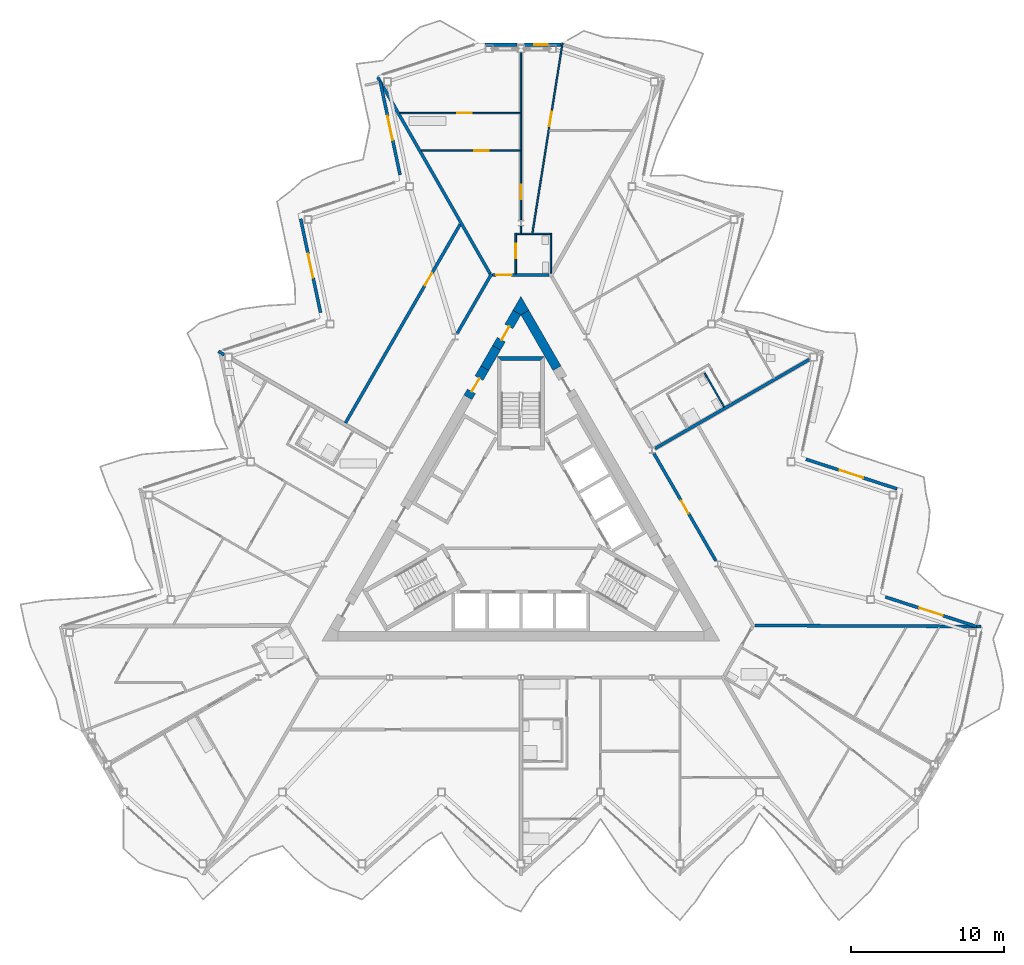
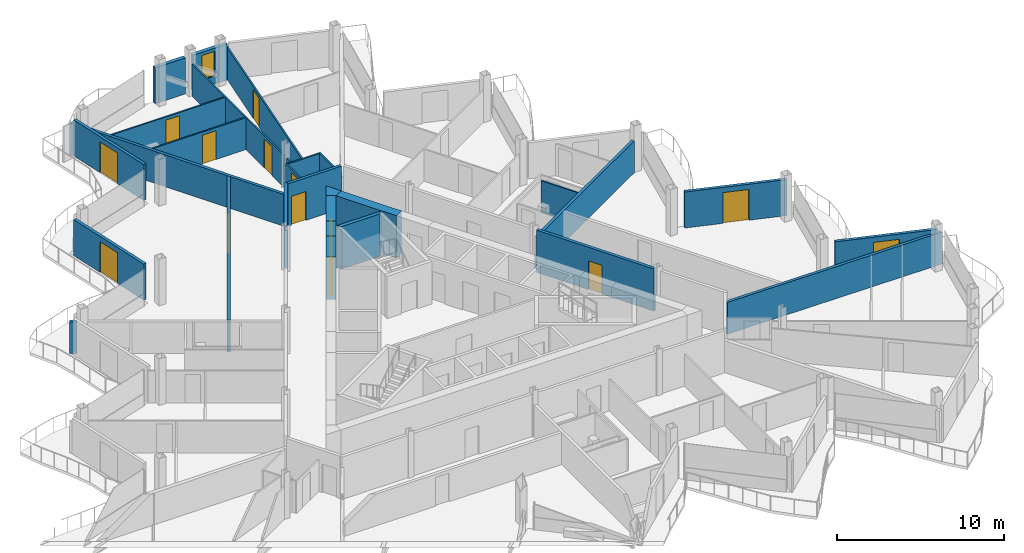
# One storey, part 16 of 26: 29 walls, 14 doors, 1 window, 15 openings.
"""IFC4 building model written with IfcOpenShell, lengths in metres."""

from ifc_helpers import new_model, si_unit, direction, frame, frame_2d, origin, place, context, subcontext, project, spatial, polyline, rectangle, outline, extrude, material, layer, layer_set, type_object, element, fill, save


model = new_model("IFC4")

# Units and contexts
model_context = context("Model", 3, precision=1e-05, world=origin(), true_north=direction((0.0, 1.0)))
body_context = subcontext(model_context, "Body", "Model", "MODEL_VIEW")
ifc_project = project(units=[si_unit("LENGTHUNIT", "METRE"), si_unit("AREAUNIT", "SQUARE_METRE"), si_unit("VOLUMEUNIT", "CUBIC_METRE"), si_unit("PLANEANGLEUNIT", "RADIAN"), si_unit("MASSUNIT", "GRAM", prefix="KILO")], contexts=[model_context])

# Site, building, storey
site_placement = place(None, origin())
site = spatial("IfcSite", under=ifc_project, at=site_placement, CompositionType="ELEMENT")
building_placement = place(site_placement, origin())
building = spatial("IfcBuilding", under=site, at=building_placement, Name="Cormorant Prow Tower", CompositionType="ELEMENT")
storey_placement = place(building_placement, frame((0.0, 0.0, 367.800048828125)))
storey = spatial("IfcBuildingStorey", under=building, at=storey_placement, Name="L82", CompositionType="ELEMENT", Elevation=367.800048828125)

# Walls
ifc_material_1 = material(Name="Concrete 8000 psi", Category="concrete")
ifc_layer_1 = layer(ifc_material_1, 0.60009765625)
ifc_layer_set_1 = layer_set([ifc_layer_1], Name="Concrete 8000 psi")
wall_type_1 = type_object("IfcWallType", Name="Core shear wall 600", PredefinedType="SHEAR", material=ifc_layer_set_1)
wall_1_placement = place(storey_placement, frame((2.36083984375, 10.322021484375, 0.0), z_axis=(0.0, 0.0, 1.0), x_axis=(-0.500000735859, 0.866024978935, 0.0)))
element("IfcWall", 1, at=wall_1_placement, inside=storey, type_object=wall_type_1, Name="Core wall", PredefinedType="SHEAR", context=body_context, shape_type="SweptSolid", body=[
    extrude(rectangle(XDim=4.2021484375, YDim=0.60009765625, at=frame_2d((2.10107421875, 0.0))), origin(), (0.0, 0.0, 1.0), 3.099853515625),
])
wall_2_placement = place(storey_placement, frame((-1.589599609375, 11.65771484375, 0.0), z_axis=(0.0, 0.0, 1.0), x_axis=(-0.500037594623, -0.866003697431, 0.0)))
element("IfcWall", 2, at=wall_2_placement, inside=storey, type_object=wall_type_1, Name="Core wall", PredefinedType="SHEAR", context=body_context, shape_type="SweptSolid", body=[
    extrude(rectangle(XDim=1.54248046875, YDim=0.60009765625, at=frame_2d((0.771240234375, 0.0))), origin(), (0.0, 0.0, 1.0), 3.099853515625),
])
wall_3_placement = place(storey_placement, origin())
element("IfcWall", 3, at=wall_3_placement, inside=storey, type_object=wall_type_1, Name="Core wall corner", PredefinedType="SHEAR", context=body_context, shape_type="SweptSolid", body=[
    extrude(outline(polyline([(0.0, 13.81103515625), (-0.51953125, 14.111083984375), (0.0, 15.010986328125), (0.51953125, 14.111083984375), (0.0, 13.81103515625)])), origin(), (0.0, 0.0, 1.0), 3.099853515625),
])

# Wall, opening, door
wall_4_placement = place(storey_placement, frame((-2.36083984375, 10.322021484375, 0.0), z_axis=(0.0, 0.0, 1.0), x_axis=(-0.499946605688, -0.86605622881, 0.0)))
wall_4 = element("IfcWall", 4, at=wall_4_placement, inside=storey, type_object=wall_type_1, Name="Core wall door panel", PredefinedType="SHEAR", context=body_context, shape_type="SweptSolid", body=[
    extrude(rectangle(XDim=2.199951171875, YDim=0.60009765625, at=frame_2d((1.10009765625, 0.0))), origin(), (0.0, 0.0, 1.0), 3.099853515625),
])
opening_1_placement = place(wall_4_placement, frame((0.75, 0.0, 0.0)))
opening_1 = element("IfcOpeningElement", 5, at=opening_1_placement, cuts=wall_4, Name="Opening L82-C18", PredefinedType="OPENING", context=body_context, shape_type="SweptSolid", body=[
    extrude(rectangle(XDim=1.0, YDim=2.10009765625, at=frame_2d((0.5, 1.050048828125))), frame((0.0, 0.31005859375, 0.0), z_axis=(0.0, -1.0, 0.0), x_axis=(1.0, 0.0, 0.0)), (0.0, 0.0, 1.0), 0.6201171875),
])
ifc_material_2 = material(Name="Painted steel", Category="steel")
door_type_1 = type_object("IfcDoorType", Name="Service door 1000x2100", OperationType="NOTDEFINED", PredefinedType="DOOR", material=ifc_material_2)
door_1_placement = place(opening_1_placement, origin())
door_1 = element("IfcDoor", 6, at=door_1_placement, inside=storey, type_object=door_type_1, Name="Core door, Mechanical riser room", OperationType="SINGLE_SWING_LEFT", OverallHeight=2.10009765625, OverallWidth=1.0, PredefinedType="DOOR", context=body_context, shape_type="SweptSolid", body=[
    extrude(rectangle(XDim=1.0, YDim=2.10009765625, at=frame_2d((0.5, 1.050048828125))), frame((0.0, 0.05517578125, 0.0), z_axis=(0.0, -1.0, 0.0), x_axis=(1.0, 0.0, 0.0)), (0.0, 0.0, 1.0), 0.050048828125),
])
fill(opening_1, door_1)

wall_5_placement = place(storey_placement, frame((-0.259765625, 13.961181640625, 0.0), z_axis=(0.0, 0.0, 1.0), x_axis=(-0.49997936161, -0.866037319036, 0.0)))
wall_5 = element("IfcWall", 7, at=wall_5_placement, inside=storey, type_object=wall_type_1, Name="Core wall door panel", PredefinedType="SHEAR", context=body_context, shape_type="SweptSolid", body=[
    extrude(rectangle(XDim=2.65966796875, YDim=0.60009765625, at=frame_2d((1.329833984375, 0.0))), origin(), (0.0, 0.0, 1.0), 3.099853515625),
])
opening_2_placement = place(wall_5_placement, frame((1.050048828125, 0.0, 0.0)))
opening_2 = element("IfcOpeningElement", 8, at=opening_2_placement, cuts=wall_5, Name="Opening L82-C19", PredefinedType="OPENING", context=body_context, shape_type="SweptSolid", body=[
    extrude(rectangle(XDim=1.0, YDim=2.10009765625, at=frame_2d((0.5, 1.050048828125))), frame((0.0, 0.31005859375, 0.0), z_axis=(0.0, -1.0, 0.0), x_axis=(1.0, 0.0, 0.0)), (0.0, 0.0, 1.0), 0.6201171875),
])
door_2_placement = place(opening_2_placement, origin())
door_2 = element("IfcDoor", 9, at=door_2_placement, inside=storey, type_object=door_type_1, Name="Core door, Mechanical riser room", OperationType="SINGLE_SWING_LEFT", OverallHeight=2.10009765625, OverallWidth=1.0, PredefinedType="DOOR", context=body_context, shape_type="SweptSolid", body=[
    extrude(rectangle(XDim=1.0, YDim=2.10009765625, at=frame_2d((0.5, 1.050048828125))), frame((0.0, 0.05517578125, 0.0), z_axis=(0.0, -1.0, 0.0), x_axis=(1.0, 0.0, 0.0)), (0.0, 0.0, 1.0), 0.050048828125),
])
fill(opening_2, door_2)

ifc_material_3 = material(Name="Gypsum board corridor wall")
ifc_layer_2 = layer(ifc_material_3, 0.199951171875)
ifc_layer_set_2 = layer_set([ifc_layer_2], Name="Gypsum board corridor wall")
wall_type_2 = type_object("IfcWallType", Name="Corridor wall 200", PredefinedType="PARTITIONING", material=ifc_layer_set_2)
wall_6_placement = place(storey_placement, frame((8.692138671875, 4.755859375, 0.0), z_axis=(0.0, 0.0, 1.0), x_axis=(0.500001682468, -0.866024432409, 0.0)))
wall_6 = element("IfcWall", 10, at=wall_6_placement, inside=storey, type_object=wall_type_2, Name="Corridor wall", PredefinedType="PARTITIONING", context=body_context, shape_type="SweptSolid", body=[
    extrude(rectangle(XDim=8.12353515625, YDim=0.199951171875, at=frame_2d((4.061767578125, 0.0))), origin(), (0.0, 0.0, 1.0), 3.099853515625),
])
opening_3_placement = place(wall_6_placement, frame((3.586669921875, 0.0, 0.0)))
opening_3 = element("IfcOpeningElement", 11, at=opening_3_placement, cuts=wall_6, Name="Opening L82-F18", PredefinedType="OPENING", context=body_context, shape_type="SweptSolid", body=[
    extrude(rectangle(XDim=0.949951171875, YDim=2.10009765625, at=frame_2d((0.47509765625, 1.050048828125))), frame((0.0, 0.10986328125, 0.0), z_axis=(0.0, -1.0, 0.0), x_axis=(1.0, 0.0, 0.0)), (0.0, 0.0, 1.0), 0.219970703125),
])
ifc_material_4 = material(Name="Timber door leaf", Category="wood")
door_type_2 = type_object("IfcDoorType", Name="Store door 950x2100", OperationType="NOTDEFINED", PredefinedType="DOOR", material=ifc_material_4)
door_3_placement = place(opening_3_placement, origin())
door_3 = element("IfcDoor", 12, at=door_3_placement, inside=storey, type_object=door_type_2, Name="Bicycle store door", OperationType="SINGLE_SWING_RIGHT", OverallHeight=2.10009765625, OverallWidth=0.949951171875, PredefinedType="DOOR", context=body_context, shape_type="SweptSolid", body=[
    extrude(rectangle(XDim=0.949951171875, YDim=2.10009765625, at=frame_2d((0.47509765625, 1.050048828125))), frame((0.0, 0.02490234375, 0.0), z_axis=(0.0, -1.0, 0.0), x_axis=(1.0, 0.0, 0.0)), (0.0, 0.0, 1.0), 0.050048828125),
])
fill(opening_3, door_3)

# Wall
wall_7_placement = place(storey_placement, frame((-4.175537109375, 12.578857421875, 0.0), z_axis=(0.0, 0.0, 1.0), x_axis=(0.499974648164, 0.866040040179, 0.0)))
element("IfcWall", 13, at=wall_7_placement, inside=storey, type_object=wall_type_2, Name="Corridor wall", PredefinedType="PARTITIONING", context=body_context, shape_type="SweptSolid", body=[
    extrude(rectangle(XDim=4.525146484375, YDim=0.199951171875, at=frame_2d((2.2626953125, 0.0))), origin(), (0.0, 0.0, 1.0), 3.099853515625),
])

# Wall, opening, door
wall_8_placement = place(storey_placement, frame((-1.863037109375, 16.4111328125, 0.0), z_axis=(0.0, 0.0, 1.0), x_axis=(1.0, 0.0, 0.0)))
wall_8 = element("IfcWall", 14, at=wall_8_placement, inside=storey, type_object=wall_type_2, Name="Corridor wall", PredefinedType="PARTITIONING", context=body_context, shape_type="SweptSolid", body=[
    extrude(rectangle(XDim=3.700927734375, YDim=0.199951171875, at=frame_2d((1.8505859375, 0.0))), origin(), (0.0, 0.0, 1.0), 3.099853515625),
])
opening_4_placement = place(wall_8_placement, frame((0.25, 0.0, 0.0)))
opening_4 = element("IfcOpeningElement", 15, at=opening_4_placement, cuts=wall_8, Name="Opening L82-F28", PredefinedType="OPENING", context=body_context, shape_type="SweptSolid", body=[
    extrude(rectangle(XDim=1.0, YDim=2.10009765625, at=frame_2d((0.5, 1.050048828125))), frame((0.0, 0.10986328125, 0.0), z_axis=(0.0, -1.0, 0.0), x_axis=(1.0, 0.0, 0.0)), (0.0, 0.0, 1.0), 0.219970703125),
])
ifc_material_5 = material(Name="Timber door leaf", Category="wood")
door_type_3 = type_object("IfcDoorType", Name="Flat or room entrance door 1000x2100", OperationType="NOTDEFINED", PredefinedType="DOOR", material=ifc_material_5)
door_4_placement = place(opening_4_placement, origin())
door_4 = element("IfcDoor", 16, at=door_4_placement, inside=storey, type_object=door_type_3, Name="Living room door", OperationType="SINGLE_SWING_RIGHT", OverallHeight=2.10009765625, OverallWidth=1.0, PredefinedType="DOOR", context=body_context, shape_type="SweptSolid", body=[
    extrude(rectangle(XDim=1.0, YDim=2.10009765625, at=frame_2d((0.5, 1.050048828125))), frame((0.0, 0.02490234375, 0.0), z_axis=(0.0, -1.0, 0.0), x_axis=(1.0, 0.0, 0.0)), (0.0, 0.0, 1.0), 0.050048828125),
])
fill(opening_4, door_4)

ifc_material_6 = material(Name="Gypsum board demising wall")
ifc_layer_3 = layer(ifc_material_6, 0.199951171875)
ifc_layer_set_3 = layer_set([ifc_layer_3], Name="Gypsum board demising wall")
wall_type_3 = type_object("IfcWallType", Name="Demising wall 200", PredefinedType="PARTITIONING", material=ifc_layer_set_3)
wall_9_placement = place(storey_placement, frame((-11.472900390625, 6.739501953125, 0.0), z_axis=(0.0, 0.0, 1.0), x_axis=(0.499993542657, 0.866029131901, 0.0)))
wall_9 = element("IfcWall", 17, at=wall_9_placement, inside=storey, type_object=wall_type_3, Name="Demising wall", PredefinedType="PARTITIONING", context=body_context, shape_type="SweptSolid", body=[
    extrude(rectangle(XDim=14.993896484375, YDim=0.199951171875, at=frame_2d((7.4970703125, 0.0))), origin(), (0.0, 0.0, 1.0), 2.330078125),
])
opening_5_placement = place(wall_9_placement, frame((10.3828125, 0.0, 0.0)))
opening_5 = element("IfcOpeningElement", 18, at=opening_5_placement, cuts=wall_9, Name="Opening L82-F36", PredefinedType="OPENING", context=body_context, shape_type="SweptSolid", body=[
    extrude(rectangle(XDim=0.949951171875, YDim=2.10009765625, at=frame_2d((0.47509765625, 1.050048828125))), frame((0.0, 0.10986328125, 0.0), z_axis=(0.0, -1.0, 0.0), x_axis=(1.0, 0.0, 0.0)), (0.0, 0.0, 1.0), 0.219970703125),
])
door_5_placement = place(opening_5_placement, origin())
door_5 = element("IfcDoor", 19, at=door_5_placement, inside=storey, type_object=door_type_2, Name="Bicycle store door", OperationType="SINGLE_SWING_LEFT", OverallHeight=2.10009765625, OverallWidth=0.949951171875, PredefinedType="DOOR", context=body_context, shape_type="SweptSolid", body=[
    extrude(rectangle(XDim=0.949951171875, YDim=2.10009765625, at=frame_2d((0.47509765625, 1.050048828125))), frame((0.0, 0.02490234375, 0.0), z_axis=(0.0, -1.0, 0.0), x_axis=(1.0, 0.0, 0.0)), (0.0, 0.0, 1.0), 0.050048828125),
])
fill(opening_5, door_5)

# Walls
for number, where, z_axis, x_axis, name in (
    (20, (15.2939453125, -6.505859375, 0.0), (0.0, 0.0, 1.0), (0.99999116141, -0.004204414611, 0.0), "Demising wall"),
    (21, (-9.3623046875, 29.352294921875, 0.0), (0.0, 0.0, 1.0), (0.496351997927, -0.868121359116, 0.0), "Demising wall"),
):
    element("IfcWall", number, at=place(storey_placement, frame(where, z_axis=z_axis, x_axis=x_axis)), inside=storey, type_object=wall_type_3, Name=name, PredefinedType="PARTITIONING", context=body_context, shape_type="SweptSolid", body=[
        extrude(rectangle(XDim=14.807373046875, YDim=0.199951171875, at=frame_2d((7.40380859375, 0.0))), origin(), (0.0, 0.0, 1.0), 2.330078125),
    ])
wall_10_placement = place(storey_placement, frame((8.775390625, 5.06640625, 0.0), z_axis=(0.0, 0.0, 1.0), x_axis=(0.866023724155, 0.500002909193, 0.0)))
element("IfcWall", 22, at=wall_10_placement, inside=storey, type_object=wall_type_3, Name="Demising wall", PredefinedType="PARTITIONING", context=body_context, shape_type="SweptSolid", body=[
    extrude(rectangle(XDim=11.65478515625, YDim=0.199951171875, at=frame_2d((5.827392578125, 0.0))), origin(), (0.0, 0.0, 1.0), 2.330078125),
])
wall_11_placement = place(storey_placement, frame((-19.779541015625, 11.419677734375, 0.0), z_axis=(0.0, 0.0, 1.0), x_axis=(0.866104518135, -0.499862944882, 0.0)))
element("IfcWall", 23, at=wall_11_placement, inside=storey, type_object=wall_type_3, Name="Demising wall", PredefinedType="PARTITIONING", context=body_context, shape_type="SweptSolid", body=[
    extrude(rectangle(XDim=0.451416015625, YDim=0.199951171875, at=frame_2d((0.2255859375, 0.0))), origin(), (0.0, 0.0, 1.0), 2.330078125),
])

# Wall, opening, door
ifc_material_7 = material(Name="Gypsum board partition")
ifc_layer_4 = layer(ifc_material_7, 0.10009765625)
ifc_layer_set_4 = layer_set([ifc_layer_4], Name="Gypsum board partition")
wall_type_4 = type_object("IfcWallType", Name="Internal partition 100", PredefinedType="PARTITIONING", material=ifc_layer_set_4)
wall_12_placement = place(storey_placement, frame((0.755126953125, 19.160400390625, 0.0), z_axis=(0.0, 0.0, 1.0), x_axis=(0.15643456532, 0.987688324712, 0.0)))
wall_12 = element("IfcWall", 24, at=wall_12_placement, inside=storey, type_object=wall_type_4, Name="Internal partition", PredefinedType="PARTITIONING", context=body_context, shape_type="SweptSolid", body=[
    extrude(rectangle(XDim=12.58984375, YDim=0.10009765625, at=frame_2d((6.294921875, 0.0))), origin(), (0.0, 0.0, 1.0), 2.330078125),
])
opening_6_placement = place(wall_12_placement, frame((7.074462890625, 0.0, 0.0)))
opening_6 = element("IfcOpeningElement", 25, at=opening_6_placement, cuts=wall_12, Name="Opening L82-F33", PredefinedType="OPENING", context=body_context, shape_type="SweptSolid", body=[
    extrude(rectangle(XDim=0.949951171875, YDim=2.10009765625, at=frame_2d((0.47509765625, 1.050048828125))), frame((0.0, 0.06005859375, 0.0), z_axis=(0.0, -1.0, 0.0), x_axis=(1.0, 0.0, 0.0)), (0.0, 0.0, 1.0), 0.1201171875),
])
ifc_material_8 = material(Name="Timber door leaf", Category="wood")
door_type_4 = type_object("IfcDoorType", Name="Bathroom door 950x2100", OperationType="NOTDEFINED", PredefinedType="DOOR", material=ifc_material_8)
door_6_placement = place(opening_6_placement, origin())
door_6 = element("IfcDoor", 26, at=door_6_placement, inside=storey, type_object=door_type_4, Name="Bedroom door", OperationType="SINGLE_SWING_LEFT", OverallHeight=2.10009765625, OverallWidth=0.949951171875, PredefinedType="DOOR", context=body_context, shape_type="SweptSolid", body=[
    extrude(rectangle(XDim=0.949951171875, YDim=2.10009765625, at=frame_2d((0.47509765625, 1.050048828125))), frame((0.0, 0.02490234375, 0.0), z_axis=(0.0, -1.0, 0.0), x_axis=(1.0, 0.0, 0.0)), (0.0, 0.0, 1.0), 0.050048828125),
])
fill(opening_6, door_6)

wall_13_placement = place(storey_placement, frame((0.0, 20.008056640625, 0.0), z_axis=(0.0, 0.0, 1.0), x_axis=(0.0, 1.0, 0.0)))
wall_13 = element("IfcWall", 27, at=wall_13_placement, inside=storey, type_object=wall_type_4, Name="Internal partition", PredefinedType="PARTITIONING", context=body_context, shape_type="SweptSolid", body=[
    extrude(rectangle(XDim=10.951416015625, YDim=0.10009765625, at=frame_2d((5.4755859375, 0.0))), origin(), (0.0, 0.0, 1.0), 2.330078125),
])
opening_7_placement = place(wall_13_placement, frame((1.35009765625, 0.0, 0.0)))
opening_7 = element("IfcOpeningElement", 28, at=opening_7_placement, cuts=wall_13, Name="Opening L82-F32", PredefinedType="OPENING", context=body_context, shape_type="SweptSolid", body=[
    extrude(rectangle(XDim=0.949951171875, YDim=2.10009765625, at=frame_2d((0.47509765625, 1.050048828125))), frame((0.0, 0.06005859375, 0.0), z_axis=(0.0, -1.0, 0.0), x_axis=(1.0, 0.0, 0.0)), (0.0, 0.0, 1.0), 0.1201171875),
])
door_7_placement = place(opening_7_placement, origin())
door_7 = element("IfcDoor", 29, at=door_7_placement, inside=storey, type_object=door_type_4, Name="Living room door", OperationType="SINGLE_SWING_RIGHT", OverallHeight=2.10009765625, OverallWidth=0.949951171875, PredefinedType="DOOR", context=body_context, shape_type="SweptSolid", body=[
    extrude(rectangle(XDim=0.949951171875, YDim=2.10009765625, at=frame_2d((0.47509765625, 1.050048828125))), frame((0.0, 0.02490234375, 0.0), z_axis=(0.0, -1.0, 0.0), x_axis=(1.0, 0.0, 0.0)), (0.0, 0.0, 1.0), 0.050048828125),
])
fill(opening_7, door_7)

wall_14_placement = place(storey_placement, frame((-7.92236328125, 27.008544921875, 0.0), z_axis=(0.0, 0.0, 1.0), x_axis=(1.0, 0.0, 0.0)))
wall_14 = element("IfcWall", 30, at=wall_14_placement, inside=storey, type_object=wall_type_4, Name="Internal partition", PredefinedType="PARTITIONING", context=body_context, shape_type="SweptSolid", body=[
    extrude(rectangle(XDim=7.872314453125, YDim=0.10009765625, at=frame_2d((3.93603515625, 0.0))), origin(), (0.0, 0.0, 1.0), 2.330078125),
])
opening_8_placement = place(wall_14_placement, frame((3.76220703125, 0.0, 0.0)))
opening_8 = element("IfcOpeningElement", 31, at=opening_8_placement, cuts=wall_14, Name="Opening L82-F31", PredefinedType="OPENING", context=body_context, shape_type="SweptSolid", body=[
    extrude(rectangle(XDim=0.949951171875, YDim=2.10009765625, at=frame_2d((0.47509765625, 1.050048828125))), frame((0.0, 0.06005859375, 0.0), z_axis=(0.0, -1.0, 0.0), x_axis=(1.0, 0.0, 0.0)), (0.0, 0.0, 1.0), 0.1201171875),
])
door_8_placement = place(opening_8_placement, origin())
door_8 = element("IfcDoor", 32, at=door_8_placement, inside=storey, type_object=door_type_4, Name="Kitchen door", OperationType="SINGLE_SWING_RIGHT", OverallHeight=2.10009765625, OverallWidth=0.949951171875, PredefinedType="DOOR", context=body_context, shape_type="SweptSolid", body=[
    extrude(rectangle(XDim=0.949951171875, YDim=2.10009765625, at=frame_2d((0.47509765625, 1.050048828125))), frame((0.0, 0.02490234375, 0.0), z_axis=(0.0, -1.0, 0.0), x_axis=(1.0, 0.0, 0.0)), (0.0, 0.0, 1.0), 0.050048828125),
])
fill(opening_8, door_8)

wall_15_placement = place(storey_placement, frame((-6.51611328125, 24.54931640625, 0.0), z_axis=(0.0, 0.0, 1.0), x_axis=(1.0, 0.0, 0.0)))
wall_15 = element("IfcWall", 33, at=wall_15_placement, inside=storey, type_object=wall_type_4, Name="Internal partition", PredefinedType="PARTITIONING", context=body_context, shape_type="SweptSolid", body=[
    extrude(rectangle(XDim=6.466064453125, YDim=0.10009765625, at=frame_2d((3.23291015625, 0.0))), origin(), (0.0, 0.0, 1.0), 2.330078125),
])
opening_9_placement = place(wall_15_placement, frame((3.46044921875, 0.0, 0.0)))
opening_9 = element("IfcOpeningElement", 34, at=opening_9_placement, cuts=wall_15, Name="Opening L82-F30", PredefinedType="OPENING", context=body_context, shape_type="SweptSolid", body=[
    extrude(rectangle(XDim=0.949951171875, YDim=2.10009765625, at=frame_2d((0.47509765625, 1.050048828125))), frame((0.0, 0.06005859375, 0.0), z_axis=(0.0, -1.0, 0.0), x_axis=(1.0, 0.0, 0.0)), (0.0, 0.0, 1.0), 0.1201171875),
])
door_9_placement = place(opening_9_placement, origin())
door_9 = element("IfcDoor", 35, at=door_9_placement, inside=storey, type_object=door_type_4, Name="Living room door", OperationType="SINGLE_SWING_RIGHT", OverallHeight=2.10009765625, OverallWidth=0.949951171875, PredefinedType="DOOR", context=body_context, shape_type="SweptSolid", body=[
    extrude(rectangle(XDim=0.949951171875, YDim=2.10009765625, at=frame_2d((0.47509765625, 1.050048828125))), frame((0.0, 0.02490234375, 0.0), z_axis=(0.0, -1.0, 0.0), x_axis=(1.0, 0.0, 0.0)), (0.0, 0.0, 1.0), 0.050048828125),
])
fill(opening_9, door_9)

wall_16_placement = place(storey_placement, frame((-0.3369140625, 16.510986328125, 0.0), z_axis=(0.0, 0.0, 1.0), x_axis=(0.0, 1.0, 0.0)))
wall_16 = element("IfcWall", 36, at=wall_16_placement, inside=storey, type_object=wall_type_4, Name="Internal partition", PredefinedType="PARTITIONING", context=body_context, shape_type="SweptSolid", body=[
    extrude(rectangle(XDim=2.650146484375, YDim=0.10009765625, at=frame_2d((1.3251953125, 0.0))), origin(), (0.0, 0.0, 1.0), 2.330078125),
])
opening_10_placement = place(wall_16_placement, frame((1.013671875, 0.0, 0.0)))
opening_10 = element("IfcOpeningElement", 37, at=opening_10_placement, cuts=wall_16, Name="Opening L82-F29", PredefinedType="OPENING", context=body_context, shape_type="SweptSolid", body=[
    extrude(rectangle(XDim=0.949951171875, YDim=2.10009765625, at=frame_2d((0.47509765625, 1.050048828125))), frame((0.0, 0.06005859375, 0.0), z_axis=(0.0, -1.0, 0.0), x_axis=(1.0, 0.0, 0.0)), (0.0, 0.0, 1.0), 0.1201171875),
])
door_10_placement = place(opening_10_placement, origin())
door_10 = element("IfcDoor", 38, at=door_10_placement, inside=storey, type_object=door_type_4, Name="Living room door", OperationType="SINGLE_SWING_RIGHT", OverallHeight=2.10009765625, OverallWidth=0.949951171875, PredefinedType="DOOR", context=body_context, shape_type="SweptSolid", body=[
    extrude(rectangle(XDim=0.949951171875, YDim=2.10009765625, at=frame_2d((0.47509765625, 1.050048828125))), frame((0.0, 0.02490234375, 0.0), z_axis=(0.0, -1.0, 0.0), x_axis=(1.0, 0.0, 0.0)), (0.0, 0.0, 1.0), 0.050048828125),
])
fill(opening_10, door_10)

# Walls
wall_17_placement = place(storey_placement, frame((1.962890625, 16.5361328125, 0.0), z_axis=(0.0, 0.0, 1.0), x_axis=(0.0, 1.0, 0.0)))
element("IfcWall", 39, at=wall_17_placement, inside=storey, type_object=wall_type_4, Name="Internal partition", PredefinedType="PARTITIONING", context=body_context, shape_type="SweptSolid", body=[
    extrude(rectangle(XDim=2.625, YDim=0.10009765625, at=frame_2d((1.3125, 0.0))), origin(), (0.0, 0.0, 1.0), 2.330078125),
])
wall_18_placement = place(storey_placement, frame((12.0166015625, 9.997802734375, 0.0), z_axis=(0.0, 0.0, 1.0), x_axis=(0.499948979701, -0.866054858364, 0.0)))
element("IfcWall", 40, at=wall_18_placement, inside=storey, type_object=wall_type_4, Name="Internal partition", PredefinedType="PARTITIONING", context=body_context, shape_type="SweptSolid", body=[
    extrude(rectangle(XDim=2.550048828125, YDim=0.10009765625, at=frame_2d((1.27490234375, 0.0))), origin(), (0.0, 0.0, 1.0), 2.330078125),
])
wall_19_placement = place(storey_placement, frame((-0.287109375, 19.111083984375, 0.0), z_axis=(0.0, 0.0, 1.0), x_axis=(1.0, 0.0, 0.0)))
element("IfcWall", 41, at=wall_19_placement, inside=storey, type_object=wall_type_4, Name="Internal partition", PredefinedType="PARTITIONING", context=body_context, shape_type="SweptSolid", body=[
    extrude(rectangle(XDim=2.2001953125, YDim=0.10009765625, at=frame_2d((1.10009765625, 0.0))), origin(), (0.0, 0.0, 1.0), 2.330078125),
])
wall_20_placement = place(storey_placement, frame((0.0, 19.1611328125, 0.0), z_axis=(0.0, 0.0, 1.0), x_axis=(0.0, 1.0, 0.0)))
element("IfcWall", 42, at=wall_20_placement, inside=storey, type_object=wall_type_4, Name="Internal partition", PredefinedType="PARTITIONING", context=body_context, shape_type="SweptSolid", body=[
    extrude(rectangle(XDim=0.452880859375, YDim=0.10009765625, at=frame_2d((0.2265625, 0.0))), origin(), (0.0, 0.0, 1.0), 2.330078125),
])
ifc_material_9 = material(Name="Concrete 8000 psi", Category="concrete")
ifc_layer_5 = layer(ifc_material_9, 0.25)
ifc_layer_set_5 = layer_set([ifc_layer_5], Name="Concrete 8000 psi")
wall_type_5 = type_object("IfcWallType", Name="Stair wall 250", PredefinedType="SHEAR", material=ifc_layer_set_5)
wall_21_placement = place(storey_placement, origin())
element("IfcWall", 43, at=wall_21_placement, inside=storey, type_object=wall_type_5, Name="Stair ST3 enclosure wall (end)", PredefinedType="SHEAR", context=body_context, shape_type="SweptSolid", body=[
    extrude(outline(polyline([(1.5439453125, 11.0869140625), (-1.5439453125, 11.0869140625), (-1.2939453125, 10.8369140625), (1.2939453125, 10.8369140625), (1.5439453125, 11.0869140625)])), origin(), (0.0, 0.0, 1.0), 3.099853515625),
])

# Wall, opening, window
ifc_material_10 = material(Name="Terracotta", Category="masonry")
ifc_layer_6 = layer(ifc_material_10, 0.25)
ifc_layer_set_6 = layer_set([ifc_layer_6], Name="Terracotta")
wall_type_6 = type_object("IfcWallType", Name="Terracotta bay wall 250", PredefinedType="SOLIDWALL", material=ifc_layer_set_6)
wall_22_placement = place(storey_placement, frame((2.638427734375, 31.47021484375, 0.0), z_axis=(0.0, 0.0, 1.0), x_axis=(-1.0, 0.0, 0.0)))
wall_22 = element("IfcWall", 44, at=wall_22_placement, inside=storey, type_object=wall_type_6, Name="Terracotta bay wall N00", PredefinedType="SOLIDWALL", context=body_context, shape_type="SweptSolid", body=[
    extrude(rectangle(XDim=2.388427734375, YDim=0.25, at=frame_2d((1.1943359375, 0.0))), origin(), (0.0, 0.0, 1.0), 2.6337890625),
])
opening_11_placement = place(wall_22_placement, frame((0.879638671875, 0.0, 0.60009765625)))
opening_11 = element("IfcOpeningElement", 45, at=opening_11_placement, cuts=wall_22, Name="Opening WN9", PredefinedType="OPENING", context=body_context, shape_type="SweptSolid", body=[
    extrude(rectangle(XDim=0.89990234375, YDim=1.800048828125, at=frame_2d((0.449951171875, 0.89990234375))), frame((0.0, 0.135009765625, 0.0), z_axis=(0.0, -1.0, 0.0), x_axis=(1.0, 0.0, 0.0)), (0.0, 0.0, 1.0), 0.27001953125),
])
ifc_material_11 = material(Name="Aluminium 6063-T6", Category="aluminium")
window_type = type_object("IfcWindowType", Name="Corner bay window 900x1800", PartitioningType="SINGLE_PANEL", PredefinedType="WINDOW", material=ifc_material_11)
window_placement = place(opening_11_placement, origin())
window = element("IfcWindow", 46, at=window_placement, inside=storey, type_object=window_type, Name="Corner bay window N00", OverallHeight=1.800048828125, OverallWidth=0.89990234375, PartitioningType="SINGLE_PANEL", PredefinedType="WINDOW", context=body_context, shape_type="SweptSolid", body=[
    extrude(rectangle(XDim=0.89990234375, YDim=1.800048828125, at=frame_2d((0.449951171875, 0.89990234375))), frame((0.0, 0.030029296875, 0.0), z_axis=(0.0, -1.0, 0.0), x_axis=(1.0, 0.0, 0.0)), (0.0, 0.0, 1.0), 0.06005859375),
])
fill(opening_11, window)

# Wall
wall_23_placement = place(storey_placement, frame((-0.25, 31.47021484375, 0.0), z_axis=(0.0, 0.0, 1.0), x_axis=(-1.0, 0.0, 0.0)))
element("IfcWall", 47, at=wall_23_placement, inside=storey, type_object=wall_type_6, Name="Terracotta bay wall N01", PredefinedType="SOLIDWALL", context=body_context, shape_type="SweptSolid", body=[
    extrude(rectangle(XDim=2.108642578125, YDim=0.25, at=frame_2d((1.05419921875, 0.0))), origin(), (0.0, 0.0, 1.0), 2.6337890625),
])

# Wall, opening, door
ifc_material_12 = material(Name="Terracotta", Category="masonry")
ifc_layer_7 = layer(ifc_material_12, 0.199951171875)
ifc_layer_set_7 = layer_set([ifc_layer_7], Name="Terracotta")
wall_type_7 = type_object("IfcWallType", Name="Terracotta jamb wall 200", PredefinedType="SOLIDWALL", material=ifc_layer_set_7)
wall_24_placement = place(storey_placement, frame((29.800537109375, -6.57568359375, 0.0), z_axis=(0.0, 0.0, 1.0), x_axis=(-0.951060123915, 0.309005891041, 0.0)))
wall_24 = element("IfcWall", 48, at=wall_24_placement, inside=storey, type_object=wall_type_7, Name="Terracotta jamb wall ENE01", PredefinedType="SOLIDWALL", context=body_context, shape_type="SweptSolid", body=[
    extrude(rectangle(XDim=6.265380859375, YDim=0.199951171875, at=frame_2d((3.1328125, 0.0))), origin(), (0.0, 0.0, 1.0), 2.6337890625),
])
opening_12_placement = place(wall_24_placement, frame((2.332763671875, 0.0, 0.0)))
opening_12 = element("IfcOpeningElement", 49, at=opening_12_placement, cuts=wall_24, Name="Opening ED82.06", PredefinedType="OPENING", context=body_context, shape_type="SweptSolid", body=[
    extrude(rectangle(XDim=1.60009765625, YDim=2.25, at=frame_2d((0.800048828125, 1.125))), frame((0.0, 0.10986328125, 0.0), z_axis=(0.0, -1.0, 0.0), x_axis=(1.0, 0.0, 0.0)), (0.0, 0.0, 1.0), 0.219970703125),
])
ifc_material_13 = material(Name="Aluminium 6063-T6", Category="aluminium")
door_type_5 = type_object("IfcDoorType", Name="Balcony door 1600x2250", OperationType="DOUBLE_DOOR_SINGLE_SWING", PredefinedType="DOOR", material=ifc_material_13)
door_11_placement = place(opening_12_placement, origin())
door_11 = element("IfcDoor", 50, at=door_11_placement, inside=storey, type_object=door_type_5, Name="Balcony door ENE01 ED82.06", OperationType="DOUBLE_DOOR_SINGLE_SWING", OverallHeight=2.25, OverallWidth=1.60009765625, PredefinedType="DOOR", context=body_context, shape_type="SweptSolid", body=[
    extrude(rectangle(XDim=1.60009765625, YDim=2.25, at=frame_2d((0.800048828125, 1.125))), frame((0.0, 0.02490234375, 0.0), z_axis=(0.0, -1.0, 0.0), x_axis=(1.0, 0.0, 0.0)), (0.0, 0.0, 1.0), 0.050048828125),
])
fill(opening_12, door_11)

wall_25_placement = place(storey_placement, frame((24.6005859375, 2.43115234375, 0.0), z_axis=(0.0, 0.0, 1.0), x_axis=(-0.951060123915, 0.309005891041, 0.0)))
wall_25 = element("IfcWall", 51, at=wall_25_placement, inside=storey, type_object=wall_type_7, Name="Terracotta jamb wall ENE03", PredefinedType="SOLIDWALL", context=body_context, shape_type="SweptSolid", body=[
    extrude(rectangle(XDim=6.265380859375, YDim=0.199951171875, at=frame_2d((3.1328125, 0.0))), origin(), (0.0, 0.0, 1.0), 2.6337890625),
])
opening_13_placement = place(wall_25_placement, frame((2.332763671875, 0.0, 0.0)))
opening_13 = element("IfcOpeningElement", 52, at=opening_13_placement, cuts=wall_25, Name="Opening ED82.07", PredefinedType="OPENING", context=body_context, shape_type="SweptSolid", body=[
    extrude(rectangle(XDim=1.60009765625, YDim=2.25, at=frame_2d((0.800048828125, 1.125))), frame((0.0, 0.10986328125, 0.0), z_axis=(0.0, -1.0, 0.0), x_axis=(1.0, 0.0, 0.0)), (0.0, 0.0, 1.0), 0.219970703125),
])
door_12_placement = place(opening_13_placement, origin())
door_12 = element("IfcDoor", 53, at=door_12_placement, inside=storey, type_object=door_type_5, Name="Balcony door ENE03 ED82.07", OperationType="DOUBLE_DOOR_SINGLE_SWING", OverallHeight=2.25, OverallWidth=1.60009765625, PredefinedType="DOOR", context=body_context, shape_type="SweptSolid", body=[
    extrude(rectangle(XDim=1.60009765625, YDim=2.25, at=frame_2d((0.800048828125, 1.125))), frame((0.0, 0.02490234375, 0.0), z_axis=(0.0, -1.0, 0.0), x_axis=(1.0, 0.0, 0.0)), (0.0, 0.0, 1.0), 0.050048828125),
])
fill(opening_13, door_12)

wall_26_placement = place(storey_placement, frame((-9.20556640625, 29.095947265625, 0.0), z_axis=(0.0, 0.0, 1.0), x_axis=(0.207889514624, -0.978152314167, 0.0)))
wall_26 = element("IfcWall", 54, at=wall_26_placement, inside=storey, type_object=wall_type_7, Name="Terracotta jamb wall WNW01", PredefinedType="SOLIDWALL", context=body_context, shape_type="SweptSolid", body=[
    extrude(rectangle(XDim=6.265380859375, YDim=0.199951171875, at=frame_2d((3.1328125, 0.0))), origin(), (0.0, 0.0, 1.0), 2.6337890625),
])
opening_14_placement = place(wall_26_placement, frame((2.332763671875, 0.0, 0.0)))
opening_14 = element("IfcOpeningElement", 55, at=opening_14_placement, cuts=wall_26, Name="Opening ED82.11", PredefinedType="OPENING", context=body_context, shape_type="SweptSolid", body=[
    extrude(rectangle(XDim=1.60009765625, YDim=2.25, at=frame_2d((0.800048828125, 1.125))), frame((0.0, 0.10986328125, 0.0), z_axis=(0.0, -1.0, 0.0), x_axis=(1.0, 0.0, 0.0)), (0.0, 0.0, 1.0), 0.219970703125),
])
door_13_placement = place(opening_14_placement, origin())
door_13 = element("IfcDoor", 56, at=door_13_placement, inside=storey, type_object=door_type_5, Name="Balcony door WNW01 ED82.11", OperationType="DOUBLE_DOOR_SINGLE_SWING", OverallHeight=2.25, OverallWidth=1.60009765625, PredefinedType="DOOR", context=body_context, shape_type="SweptSolid", body=[
    extrude(rectangle(XDim=1.60009765625, YDim=2.25, at=frame_2d((0.800048828125, 1.125))), frame((0.0, 0.02490234375, 0.0), z_axis=(0.0, -1.0, 0.0), x_axis=(1.0, 0.0, 0.0)), (0.0, 0.0, 1.0), 0.050048828125),
])
fill(opening_14, door_13)

wall_27_placement = place(storey_placement, frame((-14.405517578125, 20.089111328125, 0.0), z_axis=(0.0, 0.0, 1.0), x_axis=(0.207889514624, -0.978152314167, 0.0)))
wall_27 = element("IfcWall", 57, at=wall_27_placement, inside=storey, type_object=wall_type_7, Name="Terracotta jamb wall WNW03", PredefinedType="SOLIDWALL", context=body_context, shape_type="SweptSolid", body=[
    extrude(rectangle(XDim=6.265380859375, YDim=0.199951171875, at=frame_2d((3.1328125, 0.0))), origin(), (0.0, 0.0, 1.0), 2.6337890625),
])
opening_15_placement = place(wall_27_placement, frame((2.332763671875, 0.0, 0.0)))
opening_15 = element("IfcOpeningElement", 58, at=opening_15_placement, cuts=wall_27, Name="Opening ED82.12", PredefinedType="OPENING", context=body_context, shape_type="SweptSolid", body=[
    extrude(rectangle(XDim=1.60009765625, YDim=2.25, at=frame_2d((0.800048828125, 1.125))), frame((0.0, 0.10986328125, 0.0), z_axis=(0.0, -1.0, 0.0), x_axis=(1.0, 0.0, 0.0)), (0.0, 0.0, 1.0), 0.219970703125),
])
door_14_placement = place(opening_15_placement, origin())
door_14 = element("IfcDoor", 59, at=door_14_placement, inside=storey, type_object=door_type_5, Name="Balcony door WNW03 ED82.12", OperationType="DOUBLE_DOOR_SINGLE_SWING", OverallHeight=2.25, OverallWidth=1.60009765625, PredefinedType="DOOR", context=body_context, shape_type="SweptSolid", body=[
    extrude(rectangle(XDim=1.60009765625, YDim=2.25, at=frame_2d((0.800048828125, 1.125))), frame((0.0, 0.02490234375, 0.0), z_axis=(0.0, -1.0, 0.0), x_axis=(1.0, 0.0, 0.0)), (0.0, 0.0, 1.0), 0.050048828125),
])
fill(opening_15, door_14)

save(model, "model.ifc")
